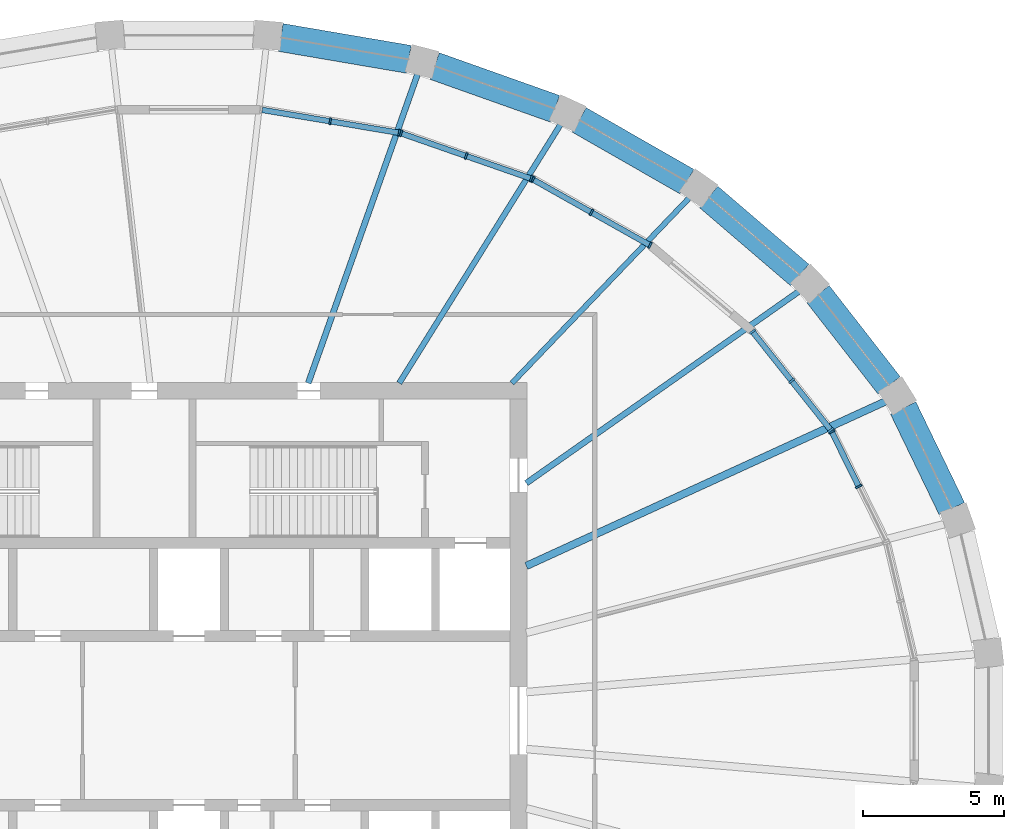
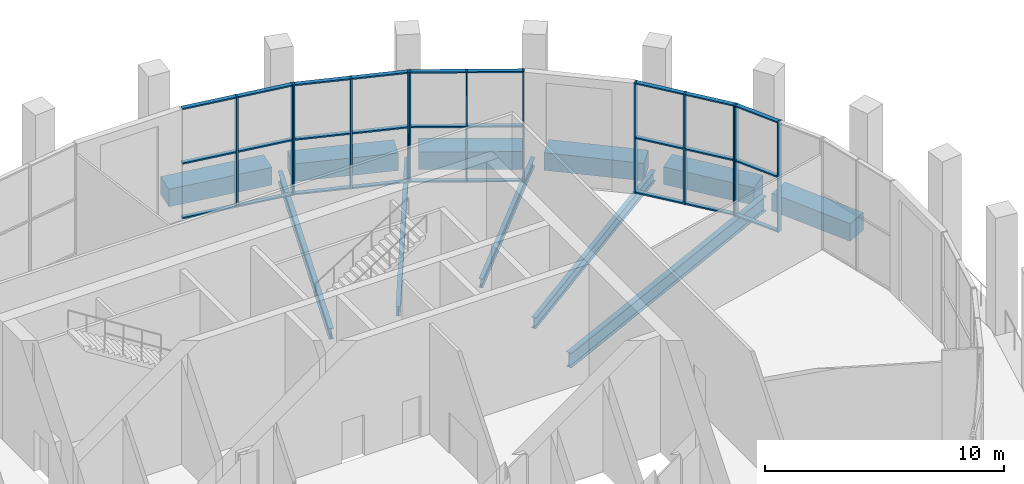
# One storey, part 7 of 15: 40 members, 11 beams, 5 elements without a shape of their own.
"""IFC4 building model written with IfcOpenShell, lengths in metres."""

from ifc_helpers import new_model, si_unit, direction, frame, origin, origin_2d, place, context, subcontext, project, spatial, rectangle, i_section, extrude, material, material_profile, profile_set, type_object, element, aggregate, save


model = new_model("IFC4")

# Units and contexts
model_context = context("Model", 3, precision=1e-05, world=origin(), true_north=direction((0.0, 1.0)))
body_context = subcontext(model_context, "Body", "Model", "MODEL_VIEW")
ifc_project = project(units=[si_unit("LENGTHUNIT", "METRE"), si_unit("AREAUNIT", "SQUARE_METRE"), si_unit("VOLUMEUNIT", "CUBIC_METRE"), si_unit("PLANEANGLEUNIT", "RADIAN"), si_unit("MASSUNIT", "GRAM", prefix="KILO")], contexts=[model_context])

# Site, building, storey
site_placement = place(None, origin())
site = spatial("IfcSite", under=ifc_project, at=site_placement, CompositionType="ELEMENT")
building_placement = place(site_placement, origin())
building = spatial("IfcBuilding", under=site, at=building_placement, Name="Halqa Exchange Tower", CompositionType="ELEMENT")
storey_placement = place(building_placement, frame((0.0, 0.0, 343.300048828125)))
storey = spatial("IfcBuildingStorey", under=building, at=storey_placement, Name="L80", CompositionType="ELEMENT", Elevation=343.300048828125)

# Beams
ifc_material_1 = material(Name="Steel S355", Category="steel")
ifc_material_profile_1 = material_profile(ifc_material_1, i_section(OverallWidth=0.18994140625, OverallDepth=0.449951171875, WebThickness=0.009521484375, FlangeThickness=0.0146484375, FilletRadius=0.02099609375, at=origin_2d()), Name="IPE 450")
ifc_profile_set_1 = profile_set([ifc_material_profile_1], Name="Steel S355")
beam_type_1 = type_object("IfcBeamType", Name="Floor beam IPE 450", PredefinedType="BEAM", material=ifc_profile_set_1)
beam_1_placement = place(storey_placement, frame((11.462890625, 11.97216796875, -0.574951171875), z_axis=(0.6915759213, 0.722303776175, 0.0), x_axis=(-0.722303776175, 0.6915759213, 0.0)))
element("IfcBeam", 1, at=beam_1_placement, inside=storey, type_object=beam_type_1, Name="Radial beam 5", PredefinedType="BEAM", context=body_context, shape_type="SweptSolid", body=[
    extrude(i_section(OverallWidth=0.18994140625, OverallDepth=0.449951171875, WebThickness=0.009521484375, FlangeThickness=0.0146484375, FilletRadius=0.02099609375, at=origin_2d()), origin(), (0.0, 0.0, 1.0), 9.192626953125),
])
ifc_material_profile_2 = material_profile(ifc_material_1, i_section(OverallWidth=0.199951171875, OverallDepth=0.5, WebThickness=0.01025390625, FlangeThickness=0.01611328125, FilletRadius=0.02099609375, at=origin_2d()), Name="IPE 500")
ifc_profile_set_2 = profile_set([ifc_material_profile_2], Name="Steel S355")
beam_type_2 = type_object("IfcBeamType", Name="Floor beam IPE 500", PredefinedType="BEAM", material=ifc_profile_set_2)
beam_2_placement = place(storey_placement, frame((7.4658203125, 11.97216796875, -0.60009765625), z_axis=(0.529137326003, 0.848536204431, 0.0), x_axis=(-0.848536204431, 0.529137326003, 0.0)))
element("IfcBeam", 2, at=beam_2_placement, inside=storey, type_object=beam_type_2, Name="Radial beam 6", PredefinedType="BEAM", context=body_context, shape_type="SweptSolid", body=[
    extrude(i_section(OverallWidth=0.199951171875, OverallDepth=0.5, WebThickness=0.01025390625, FlangeThickness=0.01611328125, FilletRadius=0.02099609375, at=origin_2d()), origin(), (0.0, 0.0, 1.0), 10.904541015625),
])
ifc_material_profile_3 = material_profile(ifc_material_1, i_section(OverallWidth=0.2099609375, OverallDepth=0.550048828125, WebThickness=0.010986328125, FlangeThickness=0.01708984375, FilletRadius=0.02392578125, at=origin_2d()), Name="IPE 550")
ifc_profile_set_3 = profile_set([ifc_material_profile_3], Name="Steel S355")
beam_type_3 = type_object("IfcBeamType", Name="Floor beam IPE 550", PredefinedType="BEAM", material=ifc_profile_set_3)
beam_3_placement = place(storey_placement, frame((11.97265625, 8.422119140625, -0.625), z_axis=(0.817914568296, 0.57533969007, 0.0), x_axis=(-0.57533969007, 0.817914568296, 0.0)))
element("IfcBeam", 3, at=beam_3_placement, inside=storey, type_object=beam_type_3, Name="Radial beam 4", PredefinedType="BEAM", context=body_context, shape_type="SweptSolid", body=[
    extrude(i_section(OverallWidth=0.2099609375, OverallDepth=0.550048828125, WebThickness=0.010986328125, FlangeThickness=0.01708984375, FilletRadius=0.02392578125, at=origin_2d()), origin(), (0.0, 0.0, 1.0), 11.92138671875),
])
beam_4_placement = place(storey_placement, frame((4.23681640625, 11.971923828125, -0.625), z_axis=(0.333622781905, 0.942706656067, 0.0), x_axis=(-0.942706656067, 0.333622781905, 0.0)))
element("IfcBeam", 4, at=beam_4_placement, inside=storey, type_object=beam_type_3, Name="Radial beam 7", PredefinedType="BEAM", context=body_context, shape_type="SweptSolid", body=[
    extrude(i_section(OverallWidth=0.2099609375, OverallDepth=0.550048828125, WebThickness=0.010986328125, FlangeThickness=0.01708984375, FilletRadius=0.02392578125, at=origin_2d()), origin(), (0.0, 0.0, 1.0), 11.723876953125),
])
ifc_material_profile_4 = material_profile(ifc_material_1, i_section(OverallWidth=0.264892578125, OverallDepth=0.7529296875, WebThickness=0.01318359375, FlangeThickness=0.01708984375, FilletRadius=0.01708984375, at=origin_2d()), Name="IPE 750x147")
ifc_profile_set_4 = profile_set([ifc_material_profile_4], Name="Steel S355")
beam_type_4 = type_object("IfcBeamType", Name="Floor beam IPE 750x147", PredefinedType="BEAM", material=ifc_profile_set_4)
beam_5_placement = place(storey_placement, frame((11.972412109375, 5.485107421875, -0.7265625), z_axis=(0.909126834486, 0.416519385884, 0.0), x_axis=(-0.416519385884, 0.909126834486, 0.0)))
element("IfcBeam", 5, at=beam_5_placement, inside=storey, type_object=beam_type_4, Name="Radial beam 3", PredefinedType="BEAM", context=body_context, shape_type="SweptSolid", body=[
    extrude(i_section(OverallWidth=0.264892578125, OverallDepth=0.7529296875, WebThickness=0.01318359375, FlangeThickness=0.01708984375, FilletRadius=0.01708984375, at=origin_2d()), origin(), (0.0, 0.0, 1.0), 14.10205078125),
])

# Curtain wall, members
ifc_material_2 = material(Name="Anodised aluminium and clear glass", Category="aluminium")
curtain_wall_type = type_object("IfcCurtainWallType", Name="Observation deck glazing", PredefinedType="NOTDEFINED", material=ifc_material_2)
curtain_wall_1_placement = place(storey_placement, origin())
curtain_wall_1 = element("IfcCurtainWall", 6, at=curtain_wall_1_placement, inside=storey, type_object=curtain_wall_type, Name="Observation deck glazing run G2", PredefinedType="NOTDEFINED")
ifc_material_3 = material(Name="Anodised aluminium", Category="aluminium")
ifc_material_profile_5 = material_profile(ifc_material_3, rectangle(XDim=0.239990234375, YDim=0.070068359375, at=origin_2d()), Name="AL 70x240")
ifc_profile_set_5 = profile_set([ifc_material_profile_5], Name="Anodised aluminium")
member_type_1 = type_object("IfcMemberType", Name="Observation deck glazing mullion 70 x 240", PredefinedType="MULLION", material=ifc_profile_set_5)
member_1_placement = place(storey_placement, frame((23.76416015625, 8.302978515625, 0.0), z_axis=(0.0, 0.0, 1.0), x_axis=(-0.897214741349, -0.441594506199, 0.0)))
member_1 = element("IfcMember", 7, at=member_1_placement, type_object=member_type_1, Name="G2 mullion 2", PredefinedType="MULLION", context=body_context, shape_type="SweptSolid", body=[
    extrude(rectangle(XDim=0.239990234375, YDim=0.070068359375, at=origin_2d()), origin(), (0.0, 0.0, 1.0), 5.64990234375),
])
member_2_placement = place(storey_placement, frame((22.808349609375, 10.2451171875, 0.0), z_axis=(0.0, 0.0, 1.0), x_axis=(-0.897214741349, -0.441594506199, 0.0)))
member_2 = element("IfcMember", 8, at=member_2_placement, type_object=member_type_1, Name="G2 mullion 3", PredefinedType="MULLION", context=body_context, shape_type="SweptSolid", body=[
    extrude(rectangle(XDim=0.239990234375, YDim=0.070068359375, at=origin_2d()), origin(), (0.0, 0.0, 1.0), 5.64990234375),
])

curtain_wall_2_placement = place(storey_placement, origin())
curtain_wall_2 = element("IfcCurtainWall", 9, at=curtain_wall_2_placement, inside=storey, type_object=curtain_wall_type, Name="Observation deck glazing run G3", PredefinedType="NOTDEFINED")
member_3_placement = place(storey_placement, frame((22.771240234375, 10.3037109375, 0.0), z_axis=(0.0, 0.0, 1.0), x_axis=(-0.783162355834, -0.621817275737, 0.0)))
member_3 = element("IfcMember", 10, at=member_3_placement, type_object=member_type_1, Name="G3 mullion 1", PredefinedType="MULLION", context=body_context, shape_type="SweptSolid", body=[
    extrude(rectangle(XDim=0.239990234375, YDim=0.070068359375, at=origin_2d()), origin(), (0.0, 0.0, 1.0), 5.64990234375),
])
member_4_placement = place(storey_placement, frame((21.3837890625, 12.05126953125, 0.0), z_axis=(0.0, 0.0, 1.0), x_axis=(-0.783162355834, -0.621817275737, 0.0)))
member_4 = element("IfcMember", 11, at=member_4_placement, type_object=member_type_1, Name="G3 mullion 2", PredefinedType="MULLION", context=body_context, shape_type="SweptSolid", body=[
    extrude(rectangle(XDim=0.239990234375, YDim=0.070068359375, at=origin_2d()), origin(), (0.0, 0.0, 1.0), 5.64990234375),
])
member_5_placement = place(storey_placement, frame((19.996337890625, 13.798583984375, 0.0), z_axis=(0.0, 0.0, 1.0), x_axis=(-0.783162355834, -0.621817275737, 0.0)))
member_5 = element("IfcMember", 12, at=member_5_placement, type_object=member_type_1, Name="G3 mullion 3", PredefinedType="MULLION", context=body_context, shape_type="SweptSolid", body=[
    extrude(rectangle(XDim=0.239990234375, YDim=0.070068359375, at=origin_2d()), origin(), (0.0, 0.0, 1.0), 5.64990234375),
])

curtain_wall_3_placement = place(storey_placement, origin())
curtain_wall_3 = element("IfcCurtainWall", 13, at=curtain_wall_3_placement, inside=storey, type_object=curtain_wall_type, Name="Observation deck glazing run G5", PredefinedType="NOTDEFINED")
member_6_placement = place(storey_placement, frame((16.359130859375, 16.860107421875, 0.0), z_axis=(0.0, 0.0, 1.0), x_axis=(-0.490158094997, -0.871633547948, 0.0)))
member_6 = element("IfcMember", 14, at=member_6_placement, type_object=member_type_1, Name="G5 mullion 1", PredefinedType="MULLION", context=body_context, shape_type="SweptSolid", body=[
    extrude(rectangle(XDim=0.239990234375, YDim=0.070068359375, at=origin_2d()), origin(), (0.0, 0.0, 1.0), 5.64990234375),
])
member_7_placement = place(storey_placement, frame((14.283203125, 18.02734375, 0.0), z_axis=(0.0, 0.0, 1.0), x_axis=(-0.490158094997, -0.871633547948, 0.0)))
member_7 = element("IfcMember", 15, at=member_7_placement, type_object=member_type_1, Name="G5 mullion 2", PredefinedType="MULLION", context=body_context, shape_type="SweptSolid", body=[
    extrude(rectangle(XDim=0.239990234375, YDim=0.070068359375, at=origin_2d()), origin(), (0.0, 0.0, 1.0), 5.64990234375),
])
member_8_placement = place(storey_placement, frame((12.207275390625, 19.19482421875, 0.0), z_axis=(0.0, 0.0, 1.0), x_axis=(-0.490158094997, -0.871633547948, 0.0)))
member_8 = element("IfcMember", 16, at=member_8_placement, type_object=member_type_1, Name="G5 mullion 3", PredefinedType="MULLION", context=body_context, shape_type="SweptSolid", body=[
    extrude(rectangle(XDim=0.239990234375, YDim=0.070068359375, at=origin_2d()), origin(), (0.0, 0.0, 1.0), 5.64990234375),
])

curtain_wall_4_placement = place(storey_placement, origin())
curtain_wall_4 = element("IfcCurtainWall", 17, at=curtain_wall_4_placement, inside=storey, type_object=curtain_wall_type, Name="Observation deck glazing run G6", PredefinedType="NOTDEFINED")
member_9_placement = place(storey_placement, frame((12.143798828125, 19.2236328125, 0.0), z_axis=(0.0, 0.0, 1.0), x_axis=(-0.329160021888, -0.9442741551, 0.0)))
member_9 = element("IfcMember", 18, at=member_9_placement, type_object=member_type_1, Name="G6 mullion 1", PredefinedType="MULLION", context=body_context, shape_type="SweptSolid", body=[
    extrude(rectangle(XDim=0.239990234375, YDim=0.070068359375, at=origin_2d()), origin(), (0.0, 0.0, 1.0), 5.64990234375),
])
member_10_placement = place(storey_placement, frame((9.837158203125, 20.027587890625, 0.0), z_axis=(0.0, 0.0, 1.0), x_axis=(-0.329160021888, -0.9442741551, 0.0)))
member_10 = element("IfcMember", 19, at=member_10_placement, type_object=member_type_1, Name="G6 mullion 2", PredefinedType="MULLION", context=body_context, shape_type="SweptSolid", body=[
    extrude(rectangle(XDim=0.239990234375, YDim=0.070068359375, at=origin_2d()), origin(), (0.0, 0.0, 1.0), 5.64990234375),
])
member_11_placement = place(storey_placement, frame((7.53076171875, 20.83154296875, 0.0), z_axis=(0.0, 0.0, 1.0), x_axis=(-0.329160021888, -0.9442741551, 0.0)))
member_11 = element("IfcMember", 20, at=member_11_placement, type_object=member_type_1, Name="G6 mullion 3", PredefinedType="MULLION", context=body_context, shape_type="SweptSolid", body=[
    extrude(rectangle(XDim=0.239990234375, YDim=0.070068359375, at=origin_2d()), origin(), (0.0, 0.0, 1.0), 5.64990234375),
])

curtain_wall_5_placement = place(storey_placement, origin())
curtain_wall_5 = element("IfcCurtainWall", 21, at=curtain_wall_5_placement, inside=storey, type_object=curtain_wall_type, Name="Observation deck glazing run G7", PredefinedType="NOTDEFINED")
member_12_placement = place(storey_placement, frame((7.463134765625, 20.848876953125, 0.0), z_axis=(0.0, 0.0, 1.0), x_axis=(-0.165117129007, -0.986273964834, 0.0)))
member_12 = element("IfcMember", 22, at=member_12_placement, type_object=member_type_1, Name="G7 mullion 1", PredefinedType="MULLION", context=body_context, shape_type="SweptSolid", body=[
    extrude(rectangle(XDim=0.239990234375, YDim=0.070068359375, at=origin_2d()), origin(), (0.0, 0.0, 1.0), 5.64990234375),
])
member_13_placement = place(storey_placement, frame((5.0146484375, 21.2587890625, 0.0), z_axis=(0.0, 0.0, 1.0), x_axis=(-0.165117129007, -0.986273964834, 0.0)))
member_13 = element("IfcMember", 23, at=member_13_placement, type_object=member_type_1, Name="G7 mullion 2", PredefinedType="MULLION", context=body_context, shape_type="SweptSolid", body=[
    extrude(rectangle(XDim=0.239990234375, YDim=0.070068359375, at=origin_2d()), origin(), (0.0, 0.0, 1.0), 5.64990234375),
])

# Member
ifc_material_profile_6 = material_profile(ifc_material_3, rectangle(XDim=0.199951171875, YDim=0.070068359375, at=origin_2d()), Name="AL 70x200")
ifc_profile_set_6 = profile_set([ifc_material_profile_6], Name="Anodised aluminium")
member_type_2 = type_object("IfcMemberType", Name="Observation deck glazing transom 70 x 200", PredefinedType="USERDEFINED", material=ifc_profile_set_6)
member_14_placement = place(storey_placement, frame((23.748779296875, 8.33447265625, 0.034912109375), z_axis=(-0.441656599677, 0.89718417728, 0.0), x_axis=(-0.89718417728, -0.441656599677, 0.0)))
member_14 = element("IfcMember", 24, at=member_14_placement, type_object=member_type_2, Name="G2 transom 2.1", ObjectType="TRANSOM", PredefinedType="USERDEFINED", context=body_context, shape_type="SweptSolid", body=[
    extrude(rectangle(XDim=0.199951171875, YDim=0.070068359375, at=origin_2d()), origin(), (0.0, 0.0, 1.0), 2.094482421875),
])

member_15_placement = place(storey_placement, frame((23.748779296875, 8.33447265625, 2.824951171875), z_axis=(-0.441656599677, 0.89718417728, 0.0), x_axis=(-0.89718417728, -0.441656599677, 0.0)))
member_15 = element("IfcMember", 25, at=member_15_placement, type_object=member_type_2, Name="G2 transom 2.2", ObjectType="TRANSOM", PredefinedType="USERDEFINED", context=body_context, shape_type="SweptSolid", body=[
    extrude(rectangle(XDim=0.199951171875, YDim=0.070068359375, at=origin_2d()), origin(), (0.0, 0.0, 1.0), 2.094482421875),
])

member_16_placement = place(storey_placement, frame((23.748779296875, 8.33447265625, 5.614990234375), z_axis=(-0.441656599677, 0.89718417728, 0.0), x_axis=(-0.89718417728, -0.441656599677, 0.0)))
member_16 = element("IfcMember", 26, at=member_16_placement, type_object=member_type_2, Name="G2 transom 2.3", ObjectType="TRANSOM", PredefinedType="USERDEFINED", context=body_context, shape_type="SweptSolid", body=[
    extrude(rectangle(XDim=0.199951171875, YDim=0.070068359375, at=origin_2d()), origin(), (0.0, 0.0, 1.0), 2.094482421875),
])

aggregate(curtain_wall_1, [member_1, member_2, member_14, member_15, member_16])

member_17_placement = place(storey_placement, frame((22.749267578125, 10.331298828125, 0.034912109375), z_axis=(-0.621770069229, 0.78319983466, 0.0), x_axis=(-0.78319983466, -0.621770069229, 0.0)))
member_17 = element("IfcMember", 27, at=member_17_placement, type_object=member_type_2, Name="G3 transom 1.1", ObjectType="TRANSOM", PredefinedType="USERDEFINED", context=body_context, shape_type="SweptSolid", body=[
    extrude(rectangle(XDim=0.199951171875, YDim=0.070068359375, at=origin_2d()), origin(), (0.0, 0.0, 1.0), 2.1611328125),
])

member_18_placement = place(storey_placement, frame((22.749267578125, 10.331298828125, 2.824951171875), z_axis=(-0.621770069229, 0.78319983466, 0.0), x_axis=(-0.78319983466, -0.621770069229, 0.0)))
member_18 = element("IfcMember", 28, at=member_18_placement, type_object=member_type_2, Name="G3 transom 1.2", ObjectType="TRANSOM", PredefinedType="USERDEFINED", context=body_context, shape_type="SweptSolid", body=[
    extrude(rectangle(XDim=0.199951171875, YDim=0.070068359375, at=origin_2d()), origin(), (0.0, 0.0, 1.0), 2.1611328125),
])

member_19_placement = place(storey_placement, frame((22.749267578125, 10.331298828125, 5.614990234375), z_axis=(-0.621770069229, 0.78319983466, 0.0), x_axis=(-0.78319983466, -0.621770069229, 0.0)))
member_19 = element("IfcMember", 29, at=member_19_placement, type_object=member_type_2, Name="G3 transom 1.3", ObjectType="TRANSOM", PredefinedType="USERDEFINED", context=body_context, shape_type="SweptSolid", body=[
    extrude(rectangle(XDim=0.199951171875, YDim=0.070068359375, at=origin_2d()), origin(), (0.0, 0.0, 1.0), 2.1611328125),
])

member_20_placement = place(storey_placement, frame((21.36181640625, 12.07861328125, 0.034912109375), z_axis=(-0.621770069229, 0.78319983466, 0.0), x_axis=(-0.78319983466, -0.621770069229, 0.0)))
member_20 = element("IfcMember", 30, at=member_20_placement, type_object=member_type_2, Name="G3 transom 2.1", ObjectType="TRANSOM", PredefinedType="USERDEFINED", context=body_context, shape_type="SweptSolid", body=[
    extrude(rectangle(XDim=0.199951171875, YDim=0.070068359375, at=origin_2d()), origin(), (0.0, 0.0, 1.0), 2.1611328125),
])

member_21_placement = place(storey_placement, frame((21.36181640625, 12.07861328125, 2.824951171875), z_axis=(-0.621770069229, 0.78319983466, 0.0), x_axis=(-0.78319983466, -0.621770069229, 0.0)))
member_21 = element("IfcMember", 31, at=member_21_placement, type_object=member_type_2, Name="G3 transom 2.2", ObjectType="TRANSOM", PredefinedType="USERDEFINED", context=body_context, shape_type="SweptSolid", body=[
    extrude(rectangle(XDim=0.199951171875, YDim=0.070068359375, at=origin_2d()), origin(), (0.0, 0.0, 1.0), 2.1611328125),
])

member_22_placement = place(storey_placement, frame((21.36181640625, 12.07861328125, 5.614990234375), z_axis=(-0.621770069229, 0.78319983466, 0.0), x_axis=(-0.78319983466, -0.621770069229, 0.0)))
member_22 = element("IfcMember", 32, at=member_22_placement, type_object=member_type_2, Name="G3 transom 2.3", ObjectType="TRANSOM", PredefinedType="USERDEFINED", context=body_context, shape_type="SweptSolid", body=[
    extrude(rectangle(XDim=0.199951171875, YDim=0.070068359375, at=origin_2d()), origin(), (0.0, 0.0, 1.0), 2.1611328125),
])

aggregate(curtain_wall_2, [member_3, member_4, member_5, member_17, member_18, member_19, member_20, member_21, member_22])

member_23_placement = place(storey_placement, frame((16.32861328125, 16.877197265625, 0.034912109375), z_axis=(-0.871634762518, 0.490155935157, 0.0), x_axis=(-0.490155935157, -0.871634762518, 0.0)))
member_23 = element("IfcMember", 33, at=member_23_placement, type_object=member_type_2, Name="G5 transom 1.1", ObjectType="TRANSOM", PredefinedType="USERDEFINED", context=body_context, shape_type="SweptSolid", body=[
    extrude(rectangle(XDim=0.199951171875, YDim=0.070068359375, at=origin_2d()), origin(), (0.0, 0.0, 1.0), 2.3115234375),
])

member_24_placement = place(storey_placement, frame((16.32861328125, 16.877197265625, 2.824951171875), z_axis=(-0.871634762518, 0.490155935157, 0.0), x_axis=(-0.490155935157, -0.871634762518, 0.0)))
member_24 = element("IfcMember", 34, at=member_24_placement, type_object=member_type_2, Name="G5 transom 1.2", ObjectType="TRANSOM", PredefinedType="USERDEFINED", context=body_context, shape_type="SweptSolid", body=[
    extrude(rectangle(XDim=0.199951171875, YDim=0.070068359375, at=origin_2d()), origin(), (0.0, 0.0, 1.0), 2.3115234375),
])

member_25_placement = place(storey_placement, frame((16.32861328125, 16.877197265625, 5.614990234375), z_axis=(-0.871634762518, 0.490155935157, 0.0), x_axis=(-0.490155935157, -0.871634762518, 0.0)))
member_25 = element("IfcMember", 35, at=member_25_placement, type_object=member_type_2, Name="G5 transom 1.3", ObjectType="TRANSOM", PredefinedType="USERDEFINED", context=body_context, shape_type="SweptSolid", body=[
    extrude(rectangle(XDim=0.199951171875, YDim=0.070068359375, at=origin_2d()), origin(), (0.0, 0.0, 1.0), 2.3115234375),
])

member_26_placement = place(storey_placement, frame((14.252685546875, 18.044677734375, 0.034912109375), z_axis=(-0.871634762518, 0.490155935157, 0.0), x_axis=(-0.490155935157, -0.871634762518, 0.0)))
member_26 = element("IfcMember", 36, at=member_26_placement, type_object=member_type_2, Name="G5 transom 2.1", ObjectType="TRANSOM", PredefinedType="USERDEFINED", context=body_context, shape_type="SweptSolid", body=[
    extrude(rectangle(XDim=0.199951171875, YDim=0.070068359375, at=origin_2d()), origin(), (0.0, 0.0, 1.0), 2.3115234375),
])

member_27_placement = place(storey_placement, frame((14.252685546875, 18.044677734375, 2.824951171875), z_axis=(-0.871634762518, 0.490155935157, 0.0), x_axis=(-0.490155935157, -0.871634762518, 0.0)))
member_27 = element("IfcMember", 37, at=member_27_placement, type_object=member_type_2, Name="G5 transom 2.2", ObjectType="TRANSOM", PredefinedType="USERDEFINED", context=body_context, shape_type="SweptSolid", body=[
    extrude(rectangle(XDim=0.199951171875, YDim=0.070068359375, at=origin_2d()), origin(), (0.0, 0.0, 1.0), 2.3115234375),
])

member_28_placement = place(storey_placement, frame((14.252685546875, 18.044677734375, 5.614990234375), z_axis=(-0.871634762518, 0.490155935157, 0.0), x_axis=(-0.490155935157, -0.871634762518, 0.0)))
member_28 = element("IfcMember", 38, at=member_28_placement, type_object=member_type_2, Name="G5 transom 2.3", ObjectType="TRANSOM", PredefinedType="USERDEFINED", context=body_context, shape_type="SweptSolid", body=[
    extrude(rectangle(XDim=0.199951171875, YDim=0.070068359375, at=origin_2d()), origin(), (0.0, 0.0, 1.0), 2.3115234375),
])

aggregate(curtain_wall_3, [member_6, member_7, member_8, member_23, member_24, member_25, member_26, member_27, member_28])

member_29_placement = place(storey_placement, frame((12.110595703125, 19.235107421875, 0.034912109375), z_axis=(-0.94426193798, 0.329195067524, 0.0), x_axis=(-0.329195067524, -0.94426193798, 0.0)))
member_29 = element("IfcMember", 39, at=member_29_placement, type_object=member_type_2, Name="G6 transom 1.1", ObjectType="TRANSOM", PredefinedType="USERDEFINED", context=body_context, shape_type="SweptSolid", body=[
    extrude(rectangle(XDim=0.199951171875, YDim=0.070068359375, at=origin_2d()), origin(), (0.0, 0.0, 1.0), 2.37255859375),
])

member_30_placement = place(storey_placement, frame((12.110595703125, 19.235107421875, 2.824951171875), z_axis=(-0.94426193798, 0.329195067524, 0.0), x_axis=(-0.329195067524, -0.94426193798, 0.0)))
member_30 = element("IfcMember", 40, at=member_30_placement, type_object=member_type_2, Name="G6 transom 1.2", ObjectType="TRANSOM", PredefinedType="USERDEFINED", context=body_context, shape_type="SweptSolid", body=[
    extrude(rectangle(XDim=0.199951171875, YDim=0.070068359375, at=origin_2d()), origin(), (0.0, 0.0, 1.0), 2.37255859375),
])

member_31_placement = place(storey_placement, frame((12.110595703125, 19.235107421875, 5.614990234375), z_axis=(-0.94426193798, 0.329195067524, 0.0), x_axis=(-0.329195067524, -0.94426193798, 0.0)))
member_31 = element("IfcMember", 41, at=member_31_placement, type_object=member_type_2, Name="G6 transom 1.3", ObjectType="TRANSOM", PredefinedType="USERDEFINED", context=body_context, shape_type="SweptSolid", body=[
    extrude(rectangle(XDim=0.199951171875, YDim=0.070068359375, at=origin_2d()), origin(), (0.0, 0.0, 1.0), 2.37255859375),
])

member_32_placement = place(storey_placement, frame((9.80419921875, 20.0390625, 0.034912109375), z_axis=(-0.944273088174, 0.329163082605, 0.0), x_axis=(-0.329163082605, -0.944273088174, 0.0)))
member_32 = element("IfcMember", 42, at=member_32_placement, type_object=member_type_2, Name="G6 transom 2.1", ObjectType="TRANSOM", PredefinedType="USERDEFINED", context=body_context, shape_type="SweptSolid", body=[
    extrude(rectangle(XDim=0.199951171875, YDim=0.070068359375, at=origin_2d()), origin(), (0.0, 0.0, 1.0), 2.372802734375),
])

member_33_placement = place(storey_placement, frame((9.80419921875, 20.0390625, 2.824951171875), z_axis=(-0.944273088174, 0.329163082605, 0.0), x_axis=(-0.329163082605, -0.944273088174, 0.0)))
member_33 = element("IfcMember", 43, at=member_33_placement, type_object=member_type_2, Name="G6 transom 2.2", ObjectType="TRANSOM", PredefinedType="USERDEFINED", context=body_context, shape_type="SweptSolid", body=[
    extrude(rectangle(XDim=0.199951171875, YDim=0.070068359375, at=origin_2d()), origin(), (0.0, 0.0, 1.0), 2.372802734375),
])

member_34_placement = place(storey_placement, frame((9.80419921875, 20.0390625, 5.614990234375), z_axis=(-0.944273088174, 0.329163082605, 0.0), x_axis=(-0.329163082605, -0.944273088174, 0.0)))
member_34 = element("IfcMember", 44, at=member_34_placement, type_object=member_type_2, Name="G6 transom 2.3", ObjectType="TRANSOM", PredefinedType="USERDEFINED", context=body_context, shape_type="SweptSolid", body=[
    extrude(rectangle(XDim=0.199951171875, YDim=0.070068359375, at=origin_2d()), origin(), (0.0, 0.0, 1.0), 2.372802734375),
])

aggregate(curtain_wall_4, [member_9, member_10, member_11, member_29, member_30, member_31, member_32, member_33, member_34])

member_35_placement = place(storey_placement, frame((7.428466796875, 20.854736328125, 0.034912109375), z_axis=(-0.986284301217, 0.165055376081, 0.0), x_axis=(-0.165055376081, -0.986284301217, 0.0)))
member_35 = element("IfcMember", 45, at=member_35_placement, type_object=member_type_2, Name="G7 transom 1.1", ObjectType="TRANSOM", PredefinedType="USERDEFINED", context=body_context, shape_type="SweptSolid", body=[
    extrude(rectangle(XDim=0.199951171875, YDim=0.070068359375, at=origin_2d()), origin(), (0.0, 0.0, 1.0), 2.41259765625),
])

member_36_placement = place(storey_placement, frame((7.428466796875, 20.854736328125, 2.824951171875), z_axis=(-0.986284301217, 0.165055376081, 0.0), x_axis=(-0.165055376081, -0.986284301217, 0.0)))
member_36 = element("IfcMember", 46, at=member_36_placement, type_object=member_type_2, Name="G7 transom 1.2", ObjectType="TRANSOM", PredefinedType="USERDEFINED", context=body_context, shape_type="SweptSolid", body=[
    extrude(rectangle(XDim=0.199951171875, YDim=0.070068359375, at=origin_2d()), origin(), (0.0, 0.0, 1.0), 2.41259765625),
])

member_37_placement = place(storey_placement, frame((7.428466796875, 20.854736328125, 5.614990234375), z_axis=(-0.986284301217, 0.165055376081, 0.0), x_axis=(-0.165055376081, -0.986284301217, 0.0)))
member_37 = element("IfcMember", 47, at=member_37_placement, type_object=member_type_2, Name="G7 transom 1.3", ObjectType="TRANSOM", PredefinedType="USERDEFINED", context=body_context, shape_type="SweptSolid", body=[
    extrude(rectangle(XDim=0.199951171875, YDim=0.070068359375, at=origin_2d()), origin(), (0.0, 0.0, 1.0), 2.41259765625),
])

member_38_placement = place(storey_placement, frame((4.97998046875, 21.2646484375, 0.034912109375), z_axis=(-0.986284301217, 0.165055376081, 0.0), x_axis=(-0.165055376081, -0.986284301217, 0.0)))
member_38 = element("IfcMember", 48, at=member_38_placement, type_object=member_type_2, Name="G7 transom 2.1", ObjectType="TRANSOM", PredefinedType="USERDEFINED", context=body_context, shape_type="SweptSolid", body=[
    extrude(rectangle(XDim=0.199951171875, YDim=0.070068359375, at=origin_2d()), origin(), (0.0, 0.0, 1.0), 2.41259765625),
])

member_39_placement = place(storey_placement, frame((4.97998046875, 21.2646484375, 2.824951171875), z_axis=(-0.986284301217, 0.165055376081, 0.0), x_axis=(-0.165055376081, -0.986284301217, 0.0)))
member_39 = element("IfcMember", 49, at=member_39_placement, type_object=member_type_2, Name="G7 transom 2.2", ObjectType="TRANSOM", PredefinedType="USERDEFINED", context=body_context, shape_type="SweptSolid", body=[
    extrude(rectangle(XDim=0.199951171875, YDim=0.070068359375, at=origin_2d()), origin(), (0.0, 0.0, 1.0), 2.41259765625),
])

member_40_placement = place(storey_placement, frame((4.97998046875, 21.2646484375, 5.614990234375), z_axis=(-0.986284301217, 0.165055376081, 0.0), x_axis=(-0.165055376081, -0.986284301217, 0.0)))
member_40 = element("IfcMember", 50, at=member_40_placement, type_object=member_type_2, Name="G7 transom 2.3", ObjectType="TRANSOM", PredefinedType="USERDEFINED", context=body_context, shape_type="SweptSolid", body=[
    extrude(rectangle(XDim=0.199951171875, YDim=0.070068359375, at=origin_2d()), origin(), (0.0, 0.0, 1.0), 2.41259765625),
])

aggregate(curtain_wall_5, [member_12, member_13, member_35, member_36, member_37, member_38, member_39, member_40])

# Beams
ifc_material_4 = material(Name="Concrete C60/75", Category="concrete")
ifc_material_profile_7 = material_profile(ifc_material_4, rectangle(XDim=1.0, YDim=0.89990234375, at=origin_2d()), Name="1000 x 900")
ifc_profile_set_7 = profile_set([ifc_material_profile_7], Name="Concrete C60/75")
beam_type_5 = type_object("IfcBeamType", Name="RC spandrel beam 1000 x 900 C60/75", PredefinedType="SPANDREL", material=ifc_profile_set_7)
beam_6_placement = place(storey_placement, frame((27.06591796875, 7.519287109375, -0.449951171875), z_axis=(-0.43505216676, 0.900405248873, 0.0), x_axis=(-0.900405248873, -0.43505216676, 0.0)))
element("IfcBeam", 51, at=beam_6_placement, inside=storey, type_object=beam_type_5, Name="Spandrel 2", PredefinedType="SPANDREL", context=body_context, shape_type="SweptSolid", body=[
    extrude(rectangle(XDim=1.0, YDim=0.89990234375, at=origin_2d()), origin(), (0.0, 0.0, 1.0), 3.964111328125),
])
beam_7_placement = place(storey_placement, frame((24.8427734375, 11.89013671875, -0.449951171875), z_axis=(-0.61480594236, 0.788678421943, 0.0), x_axis=(-0.788678421943, -0.61480594236, 0.0)))
element("IfcBeam", 52, at=beam_7_placement, inside=storey, type_object=beam_type_5, Name="Spandrel 3", PredefinedType="SPANDREL", context=body_context, shape_type="SweptSolid", body=[
    extrude(rectangle(XDim=1.0, YDim=0.89990234375, at=origin_2d()), origin(), (0.0, 0.0, 1.0), 4.10009765625),
])
beam_8_placement = place(storey_placement, frame((21.670654296875, 15.805908203125, -0.449951171875), z_axis=(-0.759232294843, 0.65081973116, 0.0), x_axis=(-0.65081973116, -0.759232294843, 0.0)))
element("IfcBeam", 53, at=beam_8_placement, inside=storey, type_object=beam_type_5, Name="Spandrel 4", PredefinedType="SPANDREL", context=body_context, shape_type="SweptSolid", body=[
    extrude(rectangle(XDim=1.0, YDim=0.89990234375, at=origin_2d()), origin(), (0.0, 0.0, 1.0), 4.25390625),
])
beam_9_placement = place(storey_placement, frame((17.669189453125, 19.119140625, -0.449951171875), z_axis=(-0.86778573249, 0.49693855001, 0.0), x_axis=(-0.49693855001, -0.86778573249, 0.0)))
element("IfcBeam", 54, at=beam_9_placement, inside=storey, type_object=beam_type_5, Name="Spandrel 5", PredefinedType="SPANDREL", context=body_context, shape_type="SweptSolid", body=[
    extrude(rectangle(XDim=1.0, YDim=0.89990234375, at=origin_2d()), origin(), (0.0, 0.0, 1.0), 4.40478515625),
])
beam_10_placement = place(storey_placement, frame((12.98828125, 21.70263671875, -0.449951171875), z_axis=(-0.94236088808, 0.334598201755, 0.0), x_axis=(-0.334598201755, -0.94236088808, 0.0)))
element("IfcBeam", 55, at=beam_10_placement, inside=storey, type_object=beam_type_5, Name="Spandrel 6", PredefinedType="SPANDREL", context=body_context, shape_type="SweptSolid", body=[
    extrude(rectangle(XDim=1.0, YDim=0.89990234375, at=origin_2d()), origin(), (0.0, 0.0, 1.0), 4.530517578125),
])
beam_11_placement = place(storey_placement, frame((7.805419921875, 23.456298828125, -0.449951171875), z_axis=(-0.985773042695, 0.168081849987, 0.0), x_axis=(-0.168081849987, -0.985773042695, 0.0)))
element("IfcBeam", 56, at=beam_11_placement, inside=storey, type_object=beam_type_5, Name="Spandrel 7", PredefinedType="SPANDREL", context=body_context, shape_type="SweptSolid", body=[
    extrude(rectangle(XDim=1.0, YDim=0.89990234375, at=origin_2d()), origin(), (0.0, 0.0, 1.0), 4.6103515625),
])

save(model, "model.ifc")
